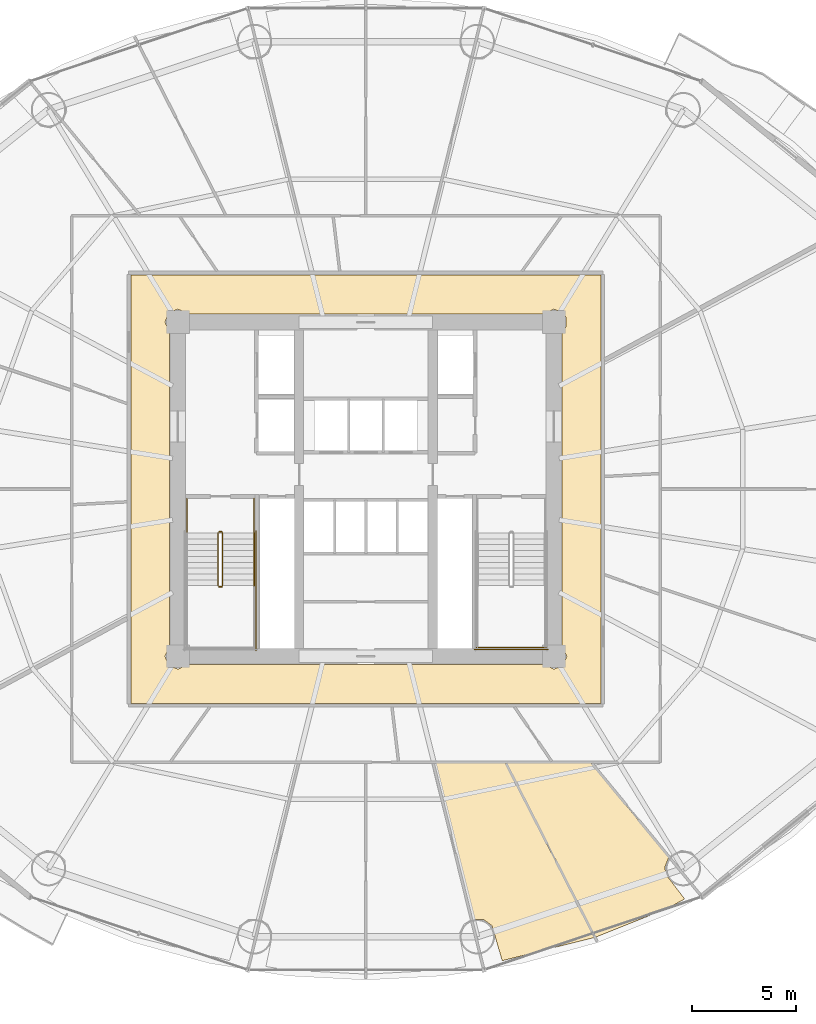
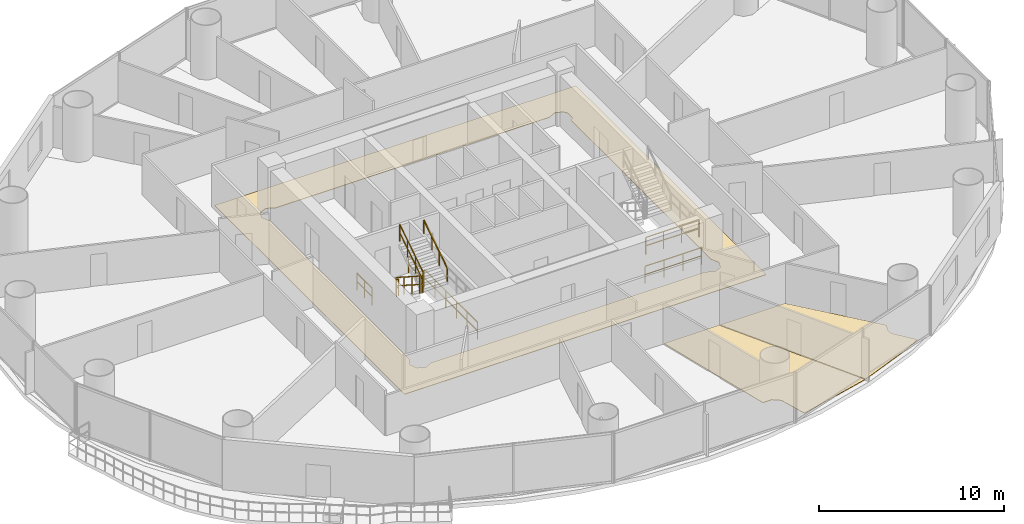
# One storey, part 28 of 30: 10 railings, 3 coverings.
"""IFC4 building model written with IfcOpenShell, lengths in metres."""

from ifc_helpers import new_model, si_unit, direction, frame, origin, origin_2d, place, context, subcontext, project, spatial, polyline, rectangle, outline, extrude, material, layer, layer_set, type_object, element, save


model = new_model("IFC4")

# Units and contexts
model_context = context("Model", 3, precision=1e-05, world=origin(), true_north=direction((-0.2419218956, 0.970295726276)))
body_context = subcontext(model_context, "Body", "Model", "MODEL_VIEW")
ifc_project = project(units=[si_unit("LENGTHUNIT", "METRE"), si_unit("AREAUNIT", "SQUARE_METRE"), si_unit("VOLUMEUNIT", "CUBIC_METRE"), si_unit("PLANEANGLEUNIT", "RADIAN"), si_unit("MASSUNIT", "GRAM", prefix="KILO")], contexts=[model_context])

# Site, building, storey
site_placement = place(None, origin())
site = spatial("IfcSite", under=ifc_project, at=site_placement, CompositionType="ELEMENT")
building_placement = place(site_placement, origin())
building = spatial("IfcBuilding", under=site, at=building_placement, Name="Cobrevalo Terracotta Tower", CompositionType="ELEMENT")
storey_placement = place(building_placement, frame((0.0, 0.0, 56.39990234375)))
storey = spatial("IfcBuildingStorey", under=building, at=storey_placement, Name="L14", CompositionType="ELEMENT", Elevation=56.39990234375)

# Coverings
ifc_material_1 = material(Name="Engineered Brazilian hardwood flooring", Category="wood")
ifc_layer_1 = layer(ifc_material_1, 0.028076171875)
ifc_layer_set_1 = layer_set([ifc_layer_1], Name="Engineered Brazilian hardwood flooring")
covering_type_1 = type_object("IfcCoveringType", Name="Engineered Hardwood Suite Flooring 28", PredefinedType="FLOORING", material=ifc_layer_set_1)
covering_1_placement = place(storey_placement, origin())
element("IfcCovering", 1, at=covering_1_placement, inside=storey, type_object=covering_type_1, Name="Flat L14B Principal Guest Bedroom floor finish", PredefinedType="FLOORING", context=body_context, shape_type="SweptSolid", body=[
    extrude(outline(polyline([(44.527587890625, 4.2255859375), (44.04345703125, 5.89306640625), (43.63330078125, 6.197998046875), (43.075439453125, 6.20703125), (41.237548828125, 13.695068359375), (44.67626953125, 13.695068359375), (48.948974609375, 5.336181640625), (44.527587890625, 4.2255859375)])), origin(), (0.0, 0.0, 1.0), 0.030029296875),
])
covering_2_placement = place(storey_placement, origin())
element("IfcCovering", 2, at=covering_2_placement, inside=storey, type_object=covering_type_1, Name="Flat L14B Principal Guest Bedroom floor finish", PredefinedType="FLOORING", context=body_context, shape_type="SweptSolid", body=[
    extrude(outline(polyline([(48.9873046875, 5.3486328125), (44.72119140625, 13.695068359375), (48.780029296875, 13.695068359375), (52.5048828125, 9.177490234375), (52.318115234375, 8.71044921875), (52.35498046875, 8.369140625), (53.26318359375, 7.178955078125), (52.361572265625, 6.691650390625), (48.9873046875, 5.3486328125)])), origin(), (0.0, 0.0, 1.0), 0.030029296875),
])
ifc_material_2 = material(Name="Honed terracotta and granite tile", Category="masonry")
ifc_layer_2 = layer(ifc_material_2, 0.034912109375)
ifc_layer_set_2 = layer_set([ifc_layer_2], Name="Honed terracotta and granite tile")
covering_type_2 = type_object("IfcCoveringType", Name="Honed Terracotta & Granite Interior Flooring 35", PredefinedType="FLOORING", material=ifc_layer_set_2)
covering_3_placement = place(storey_placement, origin())
element("IfcCovering", 3, at=covering_3_placement, inside=storey, type_object=covering_type_2, Name="L14 Residential Floor Corridor floor finish", PredefinedType="FLOORING", context=body_context, shape_type="SweptSolid", body=[
    extrude(outline(polyline([(49.2548828125, 37.054931640625), (49.2548828125, 16.544921875), (26.7451171875, 16.544921875), (26.7451171875, 37.054931640625), (49.2548828125, 37.054931640625)]), holes=[polyline([(47.39501953125, 34.33203125), (47.5732421875, 34.5625), (47.5732421875, 35.037353515625), (47.438720703125, 35.23876953125), (47.0, 35.42041015625), (46.5322265625, 35.195068359375), (29.4677734375, 35.195068359375), (29.0, 35.42041015625), (28.561279296875, 35.23876953125), (28.379638671875, 34.800048828125), (28.60498046875, 34.33203125), (28.60498046875, 19.267822265625), (28.379638671875, 18.800048828125), (28.561279296875, 18.361328125), (29.0, 18.1796875), (29.4677734375, 18.405029296875), (46.5322265625, 18.405029296875), (47.0, 18.1796875), (47.438720703125, 18.361328125), (47.620361328125, 18.800048828125), (47.39501953125, 19.267822265625), (47.39501953125, 34.33203125)])]), origin(), (0.0, 0.0, 1.0), 0.030029296875),
])

# Railings
ifc_material_3 = material(Name="Brushed stainless steel", Category="steel")
railing_type_1 = type_object("IfcRailingType", Name="Stainless Steel Stair Handrail 900", PredefinedType="HANDRAIL", material=ifc_material_3)
railing_1_placement = place(storey_placement, frame((32.64501953125, 22.179931640625, 1.97998046875)))
element("IfcRailing", 4, at=railing_1_placement, inside=storey, type_object=railing_type_1, Name="L14 ST-1 stair handrail 2", PredefinedType="HANDRAIL", context=body_context, shape_type="SweptSolid", body=[
    extrude(rectangle(XDim=0.048095703125, YDim=0.048095703125, at=origin_2d()), frame((0.0, 0.0, 0.8759765625), z_axis=(0.0, 0.841162588446, 0.540782303519), x_axis=(-1.0, 0.0, 0.0)), (0.0, 0.0, 1.0), 2.995849609375),
    extrude(rectangle(XDim=0.0419921875, YDim=0.0419921875, at=origin_2d()), origin(), (0.0, 0.0, 1.0), 0.851806640625),
    extrude(rectangle(XDim=0.0419921875, YDim=0.0419921875, at=origin_2d()), frame((0.0, 0.840087890625, 0.5400390625)), (0.0, 0.0, 1.0), 0.851806640625),
    extrude(rectangle(XDim=0.0419921875, YDim=0.0419921875, at=origin_2d()), frame((0.0, 1.679931640625, 1.080078125)), (0.0, 0.0, 1.0), 0.851806640625),
    extrude(rectangle(XDim=0.0419921875, YDim=0.0419921875, at=origin_2d()), frame((0.0, 2.52001953125, 1.6201171875)), (0.0, 0.0, 1.0), 0.851806640625),
])
ifc_material_4 = material(Name="Painted galvanized steel", Category="steel")
railing_type_2 = type_object("IfcRailingType", Name="Stair Well Guard Balustrade 1150", PredefinedType="GUARDRAIL", material=ifc_material_4)
railing_2_placement = place(storey_placement, frame((30.925048828125, 24.699951171875, 0.18017578125)))
element("IfcRailing", 5, at=railing_2_placement, inside=storey, type_object=railing_type_2, Name="L14 ST-1 stair guard 1", PredefinedType="GUARDRAIL", context=body_context, shape_type="SweptSolid", body=[
    extrude(rectangle(XDim=0.048095703125, YDim=0.048095703125, at=origin_2d()), frame((0.0, 0.0, 1.1259765625), z_axis=(0.0, -0.841199657755, 0.540724639528), x_axis=(1.0, 0.0, 0.0)), (0.0, 0.0, 1.0), 2.995849609375),
    extrude(rectangle(XDim=0.048095703125, YDim=0.048095703125, at=origin_2d()), frame((0.0, 0.0, 0.574951171875), z_axis=(0.0, -0.841199657755, 0.540724639528), x_axis=(1.0, 0.0, 0.0)), (0.0, 0.0, 1.0), 2.995849609375),
    extrude(rectangle(XDim=0.0419921875, YDim=0.0419921875, at=origin_2d()), origin(), (0.0, 0.0, 1.0), 1.101806640625),
    extrude(rectangle(XDim=0.0419921875, YDim=0.0419921875, at=origin_2d()), frame((0.0, -0.840087890625, 0.5400390625)), (0.0, 0.0, 1.0), 1.101806640625),
    extrude(rectangle(XDim=0.0419921875, YDim=0.0419921875, at=origin_2d()), frame((0.0, -1.679931640625, 1.079833984375)), (0.0, 0.0, 1.0), 1.101806640625),
    extrude(rectangle(XDim=0.0419921875, YDim=0.0419921875, at=origin_2d()), frame((0.0, -2.52001953125, 1.619873046875)), (0.0, 0.0, 1.0), 1.101806640625),
])
railing_3_placement = place(storey_placement, frame((30.97509765625, 22.1298828125, 1.800048828125)))
element("IfcRailing", 6, at=railing_3_placement, inside=storey, type_object=railing_type_2, Name="L14 ST-1 stair guard 2", PredefinedType="GUARDRAIL", context=body_context, shape_type="SweptSolid", body=[
    extrude(rectangle(XDim=0.048095703125, YDim=0.048095703125, at=origin_2d()), frame((0.0, 0.0, 1.1259765625), z_axis=(1.0, 0.0, 0.0), x_axis=(0.0, 1.0, 0.0)), (0.0, 0.0, 1.0), 0.119873046875),
    extrude(rectangle(XDim=0.048095703125, YDim=0.048095703125, at=origin_2d()), frame((0.0, 0.0, 0.574951171875), z_axis=(1.0, 0.0, 0.0), x_axis=(0.0, 1.0, 0.0)), (0.0, 0.0, 1.0), 0.119873046875),
    extrude(rectangle(XDim=0.0419921875, YDim=0.0419921875, at=origin_2d()), origin(), (0.0, 0.0, 1.0), 1.101806640625),
    extrude(rectangle(XDim=0.0419921875, YDim=0.0419921875, at=origin_2d()), frame((0.119873046875, 0.0, 0.0)), (0.0, 0.0, 1.0), 1.101806640625),
])
railing_4_placement = place(storey_placement, frame((31.14501953125, 22.179931640625, 1.97998046875)))
element("IfcRailing", 7, at=railing_4_placement, inside=storey, type_object=railing_type_2, Name="L14 ST-1 stair guard 6", PredefinedType="GUARDRAIL", context=body_context, shape_type="SweptSolid", body=[
    extrude(rectangle(XDim=0.048095703125, YDim=0.048095703125, at=origin_2d()), frame((0.0, 0.0, 1.1259765625), z_axis=(0.0, 0.841162588446, 0.540782303519), x_axis=(-1.0, 0.0, 0.0)), (0.0, 0.0, 1.0), 2.995849609375),
    extrude(rectangle(XDim=0.048095703125, YDim=0.048095703125, at=origin_2d()), frame((0.0, 0.0, 0.574951171875), z_axis=(0.0, 0.841162588446, 0.540782303519), x_axis=(-1.0, 0.0, 0.0)), (0.0, 0.0, 1.0), 2.995849609375),
    extrude(rectangle(XDim=0.0419921875, YDim=0.0419921875, at=origin_2d()), origin(), (0.0, 0.0, 1.0), 1.101806640625),
    extrude(rectangle(XDim=0.0419921875, YDim=0.0419921875, at=origin_2d()), frame((0.0, 0.840087890625, 0.5400390625)), (0.0, 0.0, 1.0), 1.101806640625),
    extrude(rectangle(XDim=0.0419921875, YDim=0.0419921875, at=origin_2d()), frame((0.0, 1.679931640625, 1.080078125)), (0.0, 0.0, 1.0), 1.101806640625),
    extrude(rectangle(XDim=0.0419921875, YDim=0.0419921875, at=origin_2d()), frame((0.0, 2.52001953125, 1.6201171875)), (0.0, 0.0, 1.0), 1.101806640625),
])
railing_5_placement = place(storey_placement, frame((30.97509765625, 24.75, 0.0)))
element("IfcRailing", 8, at=railing_5_placement, inside=storey, type_object=railing_type_2, Name="L14 ST-1 stair guard 7", PredefinedType="GUARDRAIL", context=body_context, shape_type="SweptSolid", body=[
    extrude(rectangle(XDim=0.048095703125, YDim=0.048095703125, at=origin_2d()), frame((0.0, 0.0, 1.1259765625), z_axis=(1.0, 0.0, 0.0), x_axis=(0.0, 1.0, 0.0)), (0.0, 0.0, 1.0), 0.119873046875),
    extrude(rectangle(XDim=0.048095703125, YDim=0.048095703125, at=origin_2d()), frame((0.0, 0.0, 0.574951171875), z_axis=(1.0, 0.0, 0.0), x_axis=(0.0, 1.0, 0.0)), (0.0, 0.0, 1.0), 0.119873046875),
    extrude(rectangle(XDim=0.0419921875, YDim=0.0419921875, at=origin_2d()), origin(), (0.0, 0.0, 1.0), 1.101806640625),
    extrude(rectangle(XDim=0.0419921875, YDim=0.0419921875, at=origin_2d()), frame((0.119873046875, 0.0, 0.0)), (0.0, 0.0, 1.0), 1.101806640625),
])
for number, where, name in (
    (9, (29.425048828125, 26.35009765625, 0.0), "L14 ST-1 stair guard 8"),
    (10, (32.64501953125, 26.35009765625, 0.0), "L14 ST-1 stair guard 9"),
):
    element("IfcRailing", number, at=place(storey_placement, frame(where)), inside=storey, type_object=railing_type_2, Name=name, PredefinedType="GUARDRAIL", context=body_context, shape_type="SweptSolid", body=[
        extrude(rectangle(XDim=0.048095703125, YDim=0.048095703125, at=origin_2d()), frame((0.0, 0.0, 1.1259765625), z_axis=(0.0, -1.0, 0.0), x_axis=(1.0, 0.0, 0.0)), (0.0, 0.0, 1.0), 1.650146484375),
        extrude(rectangle(XDim=0.048095703125, YDim=0.048095703125, at=origin_2d()), frame((0.0, 0.0, 0.574951171875), z_axis=(0.0, -1.0, 0.0), x_axis=(1.0, 0.0, 0.0)), (0.0, 0.0, 1.0), 1.650146484375),
        extrude(rectangle(XDim=0.0419921875, YDim=0.0419921875, at=origin_2d()), origin(), (0.0, 0.0, 1.0), 1.101806640625),
        extrude(rectangle(XDim=0.0419921875, YDim=0.0419921875, at=origin_2d()), frame((0.0, -0.8251953125, 0.0)), (0.0, 0.0, 1.0), 1.101806640625),
        extrude(rectangle(XDim=0.0419921875, YDim=0.0419921875, at=origin_2d()), frame((0.0, -1.650146484375, 0.0)), (0.0, 0.0, 1.0), 1.101806640625),
    ])
railing_6_placement = place(storey_placement, frame((32.7451171875, 24.800048828125, 0.0)))
element("IfcRailing", 11, at=railing_6_placement, inside=storey, type_object=railing_type_2, Name="L14 ST-1 stair guard 11", PredefinedType="GUARDRAIL", context=body_context, shape_type="SweptSolid", body=[
    extrude(rectangle(XDim=0.048095703125, YDim=0.048095703125, at=origin_2d()), frame((0.0, 0.0, 1.1259765625), z_axis=(0.0, -1.0, 0.0), x_axis=(1.0, 0.0, 0.0)), (0.0, 0.0, 1.0), 5.72509765625),
    extrude(rectangle(XDim=0.048095703125, YDim=0.048095703125, at=origin_2d()), frame((0.0, 0.0, 0.574951171875), z_axis=(0.0, -1.0, 0.0), x_axis=(1.0, 0.0, 0.0)), (0.0, 0.0, 1.0), 5.72509765625),
    extrude(rectangle(XDim=0.0419921875, YDim=0.0419921875, at=origin_2d()), origin(), (0.0, 0.0, 1.0), 1.101806640625),
    extrude(rectangle(XDim=0.0419921875, YDim=0.0419921875, at=origin_2d()), frame((0.0, -1.14501953125, 0.0)), (0.0, 0.0, 1.0), 1.101806640625),
    extrude(rectangle(XDim=0.0419921875, YDim=0.0419921875, at=origin_2d()), frame((0.0, -2.2900390625, 0.0)), (0.0, 0.0, 1.0), 1.101806640625),
    extrude(rectangle(XDim=0.0419921875, YDim=0.0419921875, at=origin_2d()), frame((0.0, -3.43505859375, 0.0)), (0.0, 0.0, 1.0), 1.101806640625),
    extrude(rectangle(XDim=0.0419921875, YDim=0.0419921875, at=origin_2d()), frame((0.0, -4.580078125, 0.0)), (0.0, 0.0, 1.0), 1.101806640625),
    extrude(rectangle(XDim=0.0419921875, YDim=0.0419921875, at=origin_2d()), frame((0.0, -5.72509765625, 0.0)), (0.0, 0.0, 1.0), 1.101806640625),
])
railing_7_placement = place(storey_placement, frame((43.304931640625, 19.22509765625, 1.800048828125)))
element("IfcRailing", 12, at=railing_7_placement, inside=storey, type_object=railing_type_2, Name="L14 ST-2 stair guard 5", PredefinedType="GUARDRAIL", context=body_context, shape_type="SweptSolid", body=[
    extrude(rectangle(XDim=0.048095703125, YDim=0.048095703125, at=origin_2d()), frame((0.0, 0.0, 1.1259765625), z_axis=(1.0, 0.0, 0.0), x_axis=(0.0, 1.0, 0.0)), (0.0, 0.0, 1.0), 3.320068359375),
    extrude(rectangle(XDim=0.048095703125, YDim=0.048095703125, at=origin_2d()), frame((0.0, 0.0, 0.574951171875), z_axis=(1.0, 0.0, 0.0), x_axis=(0.0, 1.0, 0.0)), (0.0, 0.0, 1.0), 3.320068359375),
    extrude(rectangle(XDim=0.0419921875, YDim=0.0419921875, at=origin_2d()), origin(), (0.0, 0.0, 1.0), 1.101806640625),
    extrude(rectangle(XDim=0.0419921875, YDim=0.0419921875, at=origin_2d()), frame((1.106689453125, 0.0, 0.0)), (0.0, 0.0, 1.0), 1.101806640625),
    extrude(rectangle(XDim=0.0419921875, YDim=0.0419921875, at=origin_2d()), frame((2.21337890625, 0.0, 0.0)), (0.0, 0.0, 1.0), 1.101806640625),
    extrude(rectangle(XDim=0.0419921875, YDim=0.0419921875, at=origin_2d()), frame((3.320068359375, 0.0, 0.0)), (0.0, 0.0, 1.0), 1.101806640625),
])
railing_8_placement = place(storey_placement, frame((43.205078125, 19.125, 0.0)))
element("IfcRailing", 13, at=railing_8_placement, inside=storey, type_object=railing_type_2, Name="L14 ST-2 stair guard 12", PredefinedType="GUARDRAIL", context=body_context, shape_type="SweptSolid", body=[
    extrude(rectangle(XDim=0.048095703125, YDim=0.048095703125, at=origin_2d()), frame((0.0, 0.0, 1.1259765625), z_axis=(1.0, 0.0, 0.0), x_axis=(0.0, 1.0, 0.0)), (0.0, 0.0, 1.0), 3.52001953125),
    extrude(rectangle(XDim=0.048095703125, YDim=0.048095703125, at=origin_2d()), frame((0.0, 0.0, 0.574951171875), z_axis=(1.0, 0.0, 0.0), x_axis=(0.0, 1.0, 0.0)), (0.0, 0.0, 1.0), 3.52001953125),
    extrude(rectangle(XDim=0.0419921875, YDim=0.0419921875, at=origin_2d()), origin(), (0.0, 0.0, 1.0), 1.101806640625),
    extrude(rectangle(XDim=0.0419921875, YDim=0.0419921875, at=origin_2d()), frame((1.17333984375, 0.0, 0.0)), (0.0, 0.0, 1.0), 1.101806640625),
    extrude(rectangle(XDim=0.0419921875, YDim=0.0419921875, at=origin_2d()), frame((2.3466796875, 0.0, 0.0)), (0.0, 0.0, 1.0), 1.101806640625),
    extrude(rectangle(XDim=0.0419921875, YDim=0.0419921875, at=origin_2d()), frame((3.52001953125, 0.0, 0.0)), (0.0, 0.0, 1.0), 1.101806640625),
])

save(model, "model.ifc")
